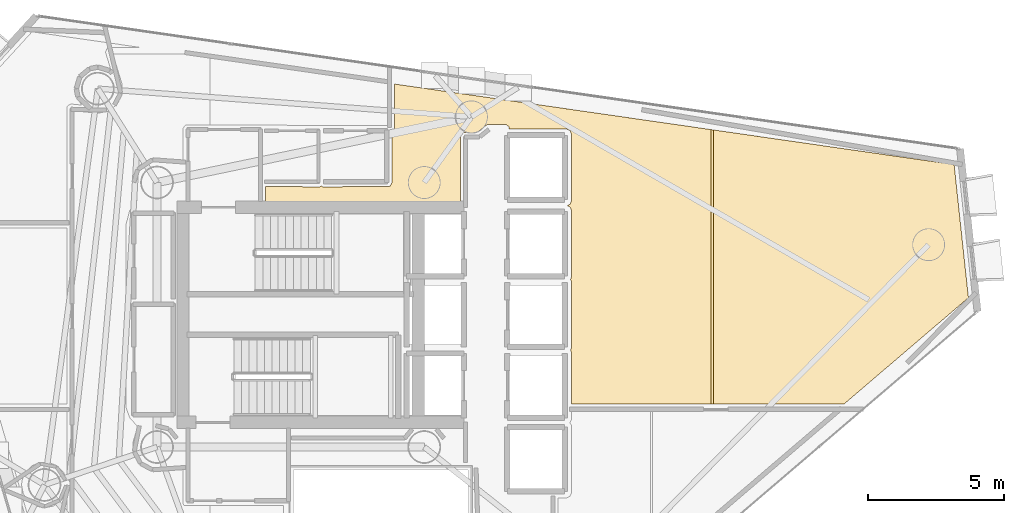
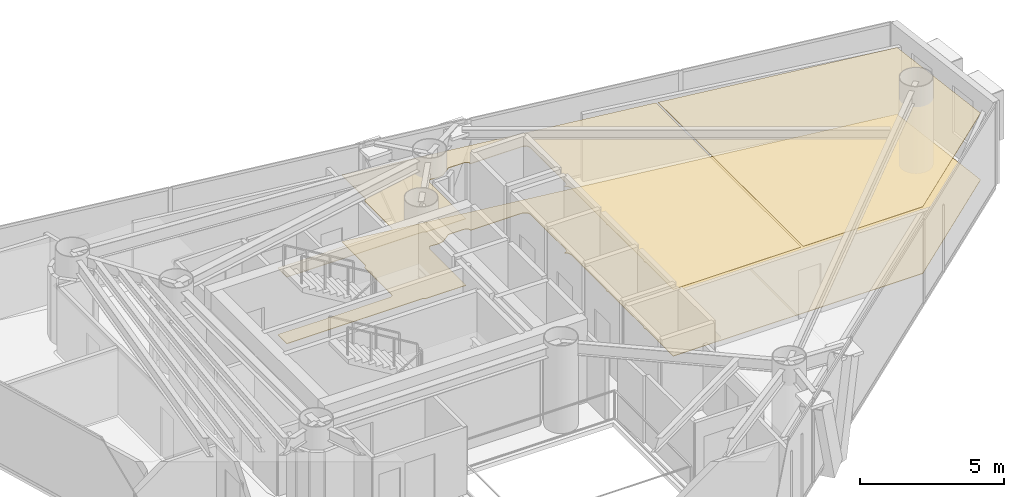
# One storey, part 23 of 23: 3 coverings.
"""IFC4 building model written with IfcOpenShell, lengths in metres."""

from ifc_helpers import new_model, si_unit, direction, frame, origin, place, context, subcontext, project, spatial, polyline, outline, extrude, material, layer, layer_set, type_object, element, save


model = new_model("IFC4")

# Units and contexts
model_context = context("Model", 3, precision=1e-05, world=origin(), true_north=direction((0.0, 1.0)))
body_context = subcontext(model_context, "Body", "Model", "MODEL_VIEW")
ifc_project = project(units=[si_unit("LENGTHUNIT", "METRE"), si_unit("AREAUNIT", "SQUARE_METRE"), si_unit("VOLUMEUNIT", "CUBIC_METRE"), si_unit("PLANEANGLEUNIT", "RADIAN"), si_unit("MASSUNIT", "GRAM", prefix="KILO")], contexts=[model_context])

# Site, building, storey
site_placement = place(None, origin())
site = spatial("IfcSite", under=ifc_project, at=site_placement, CompositionType="ELEMENT")
building_placement = place(site_placement, origin())
building = spatial("IfcBuilding", under=site, at=building_placement, Name="Qianvela Tower", CompositionType="ELEMENT")
storey_placement = place(building_placement, frame((0.0, 0.0, 215.10009765625)))
storey = spatial("IfcBuildingStorey", under=building, at=storey_placement, Name="L55", CompositionType="ELEMENT", Elevation=215.10009765625)

# Coverings
ifc_material_1 = material(Name="Perforated Mineral Acoustic Ceiling Tile")
ifc_layer_1 = layer(ifc_material_1, 0.02490234375)
ifc_layer_set_1 = layer_set([ifc_layer_1], Name="Perforated Mineral Acoustic Ceiling Tile")
covering_type_1 = type_object("IfcCoveringType", Name="COV-CEIL-ACOUSTIC-25", PredefinedType="CEILING", material=ifc_layer_set_1)
covering_1_placement = place(storey_placement, frame((0.0, 0.0, 2.81494140625)))
element("IfcCovering", 1, at=covering_1_placement, inside=storey, type_object=covering_type_1, Name="L55 Acoustic Ceiling Bay 1 Student Tea Pantry L55-06", PredefinedType="CEILING", context=body_context, shape_type="SweptSolid", body=[
    extrude(outline(polyline([(43.722412109375, 32.739013671875), (43.729248046875, 32.74267578125), (43.73583984375, 32.746826171875), (43.741943359375, 32.751953125), (43.74755859375, 32.757568359375), (43.75244140625, 32.763427734375), (43.7568359375, 32.77001953125), (43.760498046875, 32.777099609375), (43.763427734375, 32.7841796875), (43.79541015625, 32.873046875), (43.7978515625, 32.8818359375), (43.799560546875, 32.890869140625), (43.800048828125, 32.89990234375), (43.800048828125, 35.300048828125), (43.799560546875, 35.30908203125), (43.7978515625, 35.318115234375), (43.79541015625, 35.326904296875), (43.763427734375, 35.415771484375), (43.7607421875, 35.422607421875), (43.75732421875, 35.42919921875), (43.75341796875, 35.435302734375), (43.748779296875, 35.441162109375), (43.74365234375, 35.4462890625), (43.73828125, 35.451416015625), (43.732421875, 35.45556640625), (43.725830078125, 35.45947265625), (43.63134765625, 35.510009765625), (43.624267578125, 35.51318359375), (43.616943359375, 35.515869140625), (43.609375, 35.517822265625), (43.6015625, 35.518798828125), (43.59375, 35.519287109375), (41.515625, 35.52001953125), (41.513916015625, 35.554931640625), (41.512939453125, 35.563232421875), (41.51123046875, 35.5712890625), (41.508544921875, 35.5791015625), (41.50537109375, 35.5869140625), (41.501220703125, 35.593994140625), (41.496337890625, 35.6005859375), (41.49072265625, 35.60693359375), (41.484619140625, 35.612548828125), (41.426513671875, 35.660400390625), (41.420166015625, 35.6650390625), (41.413330078125, 35.6689453125), (41.40625, 35.67236328125), (41.39892578125, 35.675048828125), (41.391357421875, 35.677001953125), (41.383544921875, 35.677978515625), (41.375732421875, 35.678466796875), (40.750244140625, 35.679931640625), (40.742919921875, 35.6796875), (40.7353515625, 35.6787109375), (40.728271484375, 35.677001953125), (40.72119140625, 35.674560546875), (40.71435546875, 35.671630859375), (40.7080078125, 35.668212890625), (40.701904296875, 35.663818359375), (40.361083984375, 35.406982421875), (40.126708984375, 35.3603515625), (39.84326171875, 35.389404296875), (39.835205078125, 35.389892578125), (39.827392578125, 35.389404296875), (39.819580078125, 35.388427734375), (39.81201171875, 35.386474609375), (39.804443359375, 35.3837890625), (39.79736328125, 35.38037109375), (39.79052734375, 35.37646484375), (39.7841796875, 35.37158203125), (39.7783203125, 35.3662109375), (39.77294921875, 35.360595703125), (39.768310546875, 35.35400390625), (39.76416015625, 35.347412109375), (39.729248046875, 35.28125), (39.72607421875, 35.274169921875), (39.723388671875, 35.266845703125), (39.721435546875, 35.25927734375), (39.720458984375, 35.25146484375), (39.719970703125, 35.243896484375), (39.719970703125, 32.719970703125), (38.125, 32.719970703125), (38.03369140625, 32.762451171875), (38.025634765625, 32.765625), (38.017333984375, 32.76806640625), (38.0087890625, 32.76953125), (38.0, 32.77001953125), (32.580078125, 32.77001953125), (32.580078125, 33.406982421875), (34.54931640625, 33.389892578125), (34.5576171875, 33.390380859375), (34.565673828125, 33.3916015625), (34.57373046875, 33.3935546875), (34.581298828125, 33.396484375), (34.5888671875, 33.400146484375), (34.595703125, 33.404296875), (34.625, 33.4248046875), (34.654296875, 33.404296875), (34.6611328125, 33.400146484375), (34.66845703125, 33.396484375), (34.67626953125, 33.3935546875), (34.68408203125, 33.3916015625), (34.6923828125, 33.390380859375), (34.70068359375, 33.389892578125), (37.101318359375, 33.408203125), (37.109619140625, 33.40869140625), (37.117431640625, 33.409912109375), (37.12548828125, 33.412109375), (37.133056640625, 33.4150390625), (37.140380859375, 33.418701171875), (37.147216796875, 33.423095703125), (37.153564453125, 33.427978515625), (37.159423828125, 33.433837890625), (37.16455078125, 33.43994140625), (37.169189453125, 33.44677734375), (37.173095703125, 33.4541015625), (37.202392578125, 33.515869140625), (37.205078125, 33.522216796875), (37.207275390625, 33.529052734375), (37.208740234375, 33.535888671875), (37.209716796875, 33.54296875), (37.2099609375, 33.550048828125), (37.2099609375, 35.41796875), (37.220458984375, 35.420654296875), (37.227783203125, 35.4228515625), (37.235107421875, 35.42578125), (37.241943359375, 35.4296875), (37.248291015625, 35.433837890625), (37.25439453125, 35.43896484375), (37.260009765625, 35.4443359375), (37.264892578125, 35.450439453125), (37.269287109375, 35.456787109375), (37.27294921875, 35.4638671875), (37.30224609375, 35.525634765625), (37.304931640625, 35.5322265625), (37.30712890625, 35.5390625), (37.30859375, 35.5458984375), (37.309814453125, 35.552978515625), (37.31005859375, 35.56005859375), (37.31005859375, 37.162353515625), (48.9228515625, 35.490234375), (48.9228515625, 25.422119140625), (43.800048828125, 25.422119140625), (43.800048828125, 27.300048828125), (43.799560546875, 27.30810546875), (43.79833984375, 27.31591796875), (43.79638671875, 27.323486328125), (43.793701171875, 27.3310546875), (43.7646484375, 27.39990234375), (43.793701171875, 27.468994140625), (43.79638671875, 27.476318359375), (43.79833984375, 27.484130859375), (43.799560546875, 27.491943359375), (43.800048828125, 27.5), (43.800048828125, 29.89990234375), (43.799560546875, 29.907958984375), (43.79833984375, 29.915771484375), (43.79638671875, 29.923583984375), (43.793701171875, 29.93115234375), (43.7646484375, 30.0), (43.793701171875, 30.06884765625), (43.79638671875, 30.076416015625), (43.79833984375, 30.084228515625), (43.799560546875, 30.092041015625), (43.800048828125, 30.10009765625), (43.800048828125, 32.5), (43.799560546875, 32.509033203125), (43.7978515625, 32.518310546875), (43.79541015625, 32.527099609375), (43.763427734375, 32.61572265625), (43.7607421875, 32.62255859375), (43.75732421875, 32.629150390625), (43.75341796875, 32.63525390625), (43.748779296875, 32.64111328125), (43.74365234375, 32.646484375), (43.73828125, 32.6513671875), (43.732421875, 32.655517578125), (43.725830078125, 32.659423828125), (43.6455078125, 32.702392578125), (43.722412109375, 32.739013671875)])), origin(), (0.0, 0.0, 1.0), 0.02490234375),
])
covering_2_placement = place(storey_placement, frame((0.0, 0.0, 2.81494140625)))
element("IfcCovering", 2, at=covering_2_placement, inside=storey, type_object=covering_type_1, Name="L55 Acoustic Ceiling Bay 2 Student Tea Pantry L55-06", PredefinedType="CEILING", context=body_context, shape_type="SweptSolid", body=[
    extrude(outline(polyline([(57.8310546875, 34.207763671875), (58.35595703125, 29.32421875), (53.789306640625, 25.422119140625), (49.0029296875, 25.422119140625), (49.0029296875, 35.478759765625), (57.8310546875, 34.207763671875)])), origin(), (0.0, 0.0, 1.0), 0.02490234375),
])
ifc_material_2 = material(Name="Engineered Acoustic Oak Timber Flooring", Category="wood")
ifc_layer_2 = layer(ifc_material_2, 0.02001953125)
ifc_layer_set_2 = layer_set([ifc_layer_2], Name="Engineered Acoustic Oak Timber Flooring")
covering_type_2 = type_object("IfcCoveringType", Name="COV-FLOOR-OAK-20", PredefinedType="FLOORING", material=ifc_layer_set_2)
covering_3_placement = place(storey_placement, origin())
element("IfcCovering", 3, at=covering_3_placement, inside=storey, type_object=covering_type_2, Name="L55 Finish Flooring Student Tea Pantry L55-06", PredefinedType="FLOORING", context=body_context, shape_type="SweptSolid", body=[
    extrude(outline(polyline([(43.6455078125, 32.702392578125), (43.722412109375, 32.739013671875), (43.729248046875, 32.74267578125), (43.73583984375, 32.746826171875), (43.741943359375, 32.751953125), (43.74755859375, 32.757568359375), (43.75244140625, 32.763427734375), (43.7568359375, 32.77001953125), (43.760498046875, 32.777099609375), (43.763427734375, 32.7841796875), (43.79541015625, 32.873046875), (43.7978515625, 32.8818359375), (43.799560546875, 32.890869140625), (43.800048828125, 32.89990234375), (43.800048828125, 35.300048828125), (43.799560546875, 35.30908203125), (43.7978515625, 35.318115234375), (43.79541015625, 35.326904296875), (43.763427734375, 35.415771484375), (43.7607421875, 35.422607421875), (43.75732421875, 35.42919921875), (43.75341796875, 35.435302734375), (43.748779296875, 35.441162109375), (43.74365234375, 35.4462890625), (43.73828125, 35.451416015625), (43.732421875, 35.45556640625), (43.725830078125, 35.45947265625), (43.63134765625, 35.510009765625), (43.624267578125, 35.51318359375), (43.616943359375, 35.515869140625), (43.609375, 35.517822265625), (43.6015625, 35.518798828125), (43.59375, 35.519287109375), (41.515625, 35.52001953125), (41.513916015625, 35.554931640625), (41.512939453125, 35.563232421875), (41.51123046875, 35.5712890625), (41.508544921875, 35.5791015625), (41.50537109375, 35.5869140625), (41.501220703125, 35.593994140625), (41.496337890625, 35.6005859375), (41.49072265625, 35.60693359375), (41.484619140625, 35.612548828125), (41.426513671875, 35.660400390625), (41.420166015625, 35.6650390625), (41.413330078125, 35.6689453125), (41.40625, 35.67236328125), (41.39892578125, 35.675048828125), (41.391357421875, 35.677001953125), (41.383544921875, 35.677978515625), (41.375732421875, 35.678466796875), (40.750244140625, 35.679931640625), (40.742919921875, 35.6796875), (40.7353515625, 35.6787109375), (40.728271484375, 35.677001953125), (40.72119140625, 35.674560546875), (40.71435546875, 35.671630859375), (40.7080078125, 35.668212890625), (40.701904296875, 35.663818359375), (40.361083984375, 35.406982421875), (40.126708984375, 35.3603515625), (39.84326171875, 35.389404296875), (39.835205078125, 35.389892578125), (39.827392578125, 35.389404296875), (39.819580078125, 35.388427734375), (39.81201171875, 35.386474609375), (39.804443359375, 35.3837890625), (39.79736328125, 35.38037109375), (39.79052734375, 35.37646484375), (39.7841796875, 35.37158203125), (39.7783203125, 35.3662109375), (39.77294921875, 35.360595703125), (39.768310546875, 35.35400390625), (39.76416015625, 35.347412109375), (39.729248046875, 35.28125), (39.72607421875, 35.274169921875), (39.723388671875, 35.266845703125), (39.721435546875, 35.25927734375), (39.720458984375, 35.25146484375), (39.719970703125, 35.243896484375), (39.719970703125, 32.719970703125), (38.125, 32.719970703125), (38.03369140625, 32.762451171875), (38.025634765625, 32.765625), (38.017333984375, 32.76806640625), (38.0087890625, 32.76953125), (38.0, 32.77001953125), (32.580078125, 32.77001953125), (32.580078125, 33.406982421875), (34.54931640625, 33.389892578125), (34.5576171875, 33.390380859375), (34.565673828125, 33.3916015625), (34.57373046875, 33.3935546875), (34.581298828125, 33.396484375), (34.5888671875, 33.400146484375), (34.595703125, 33.404296875), (34.625, 33.4248046875), (34.654296875, 33.404296875), (34.6611328125, 33.400146484375), (34.66845703125, 33.396484375), (34.67626953125, 33.3935546875), (34.68408203125, 33.3916015625), (34.6923828125, 33.390380859375), (34.70068359375, 33.389892578125), (37.101318359375, 33.408203125), (37.109619140625, 33.40869140625), (37.117431640625, 33.409912109375), (37.12548828125, 33.412109375), (37.133056640625, 33.4150390625), (37.140380859375, 33.418701171875), (37.147216796875, 33.423095703125), (37.153564453125, 33.427978515625), (37.159423828125, 33.433837890625), (37.16455078125, 33.43994140625), (37.169189453125, 33.44677734375), (37.173095703125, 33.4541015625), (37.202392578125, 33.515869140625), (37.205078125, 33.522216796875), (37.207275390625, 33.529052734375), (37.208740234375, 33.535888671875), (37.209716796875, 33.54296875), (37.2099609375, 33.550048828125), (37.2099609375, 35.41796875), (37.220458984375, 35.420654296875), (37.227783203125, 35.4228515625), (37.235107421875, 35.42578125), (37.241943359375, 35.4296875), (37.248291015625, 35.433837890625), (37.25439453125, 35.43896484375), (37.260009765625, 35.4443359375), (37.264892578125, 35.450439453125), (37.269287109375, 35.456787109375), (37.27294921875, 35.4638671875), (37.30224609375, 35.525634765625), (37.304931640625, 35.5322265625), (37.30712890625, 35.5390625), (37.30859375, 35.5458984375), (37.309814453125, 35.552978515625), (37.31005859375, 35.56005859375), (37.31005859375, 37.162353515625), (57.8310546875, 34.207763671875), (58.35595703125, 29.32421875), (53.789306640625, 25.422119140625), (43.800048828125, 25.422119140625), (43.800048828125, 27.300048828125), (43.799560546875, 27.30810546875), (43.79833984375, 27.31591796875), (43.79638671875, 27.323486328125), (43.793701171875, 27.3310546875), (43.7646484375, 27.39990234375), (43.793701171875, 27.468994140625), (43.79638671875, 27.476318359375), (43.79833984375, 27.484130859375), (43.799560546875, 27.491943359375), (43.800048828125, 27.5), (43.800048828125, 29.89990234375), (43.799560546875, 29.907958984375), (43.79833984375, 29.915771484375), (43.79638671875, 29.923583984375), (43.793701171875, 29.93115234375), (43.7646484375, 30.0), (43.793701171875, 30.06884765625), (43.79638671875, 30.076416015625), (43.79833984375, 30.084228515625), (43.799560546875, 30.092041015625), (43.800048828125, 30.10009765625), (43.800048828125, 32.5), (43.799560546875, 32.509033203125), (43.7978515625, 32.518310546875), (43.79541015625, 32.527099609375), (43.763427734375, 32.61572265625), (43.7607421875, 32.62255859375), (43.75732421875, 32.629150390625), (43.75341796875, 32.63525390625), (43.748779296875, 32.64111328125), (43.74365234375, 32.646484375), (43.73828125, 32.6513671875), (43.732421875, 32.655517578125), (43.725830078125, 32.659423828125), (43.6455078125, 32.702392578125)])), origin(), (0.0, 0.0, 1.0), 0.02001953125),
])

save(model, "model.ifc")
